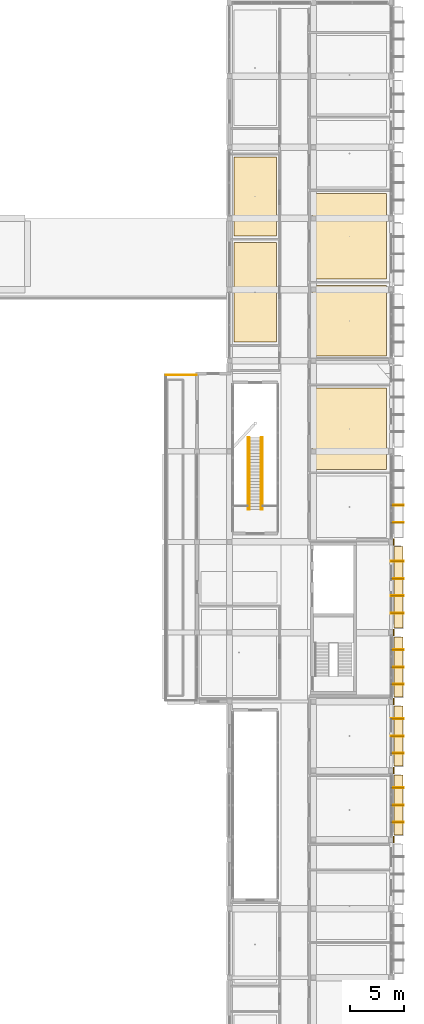
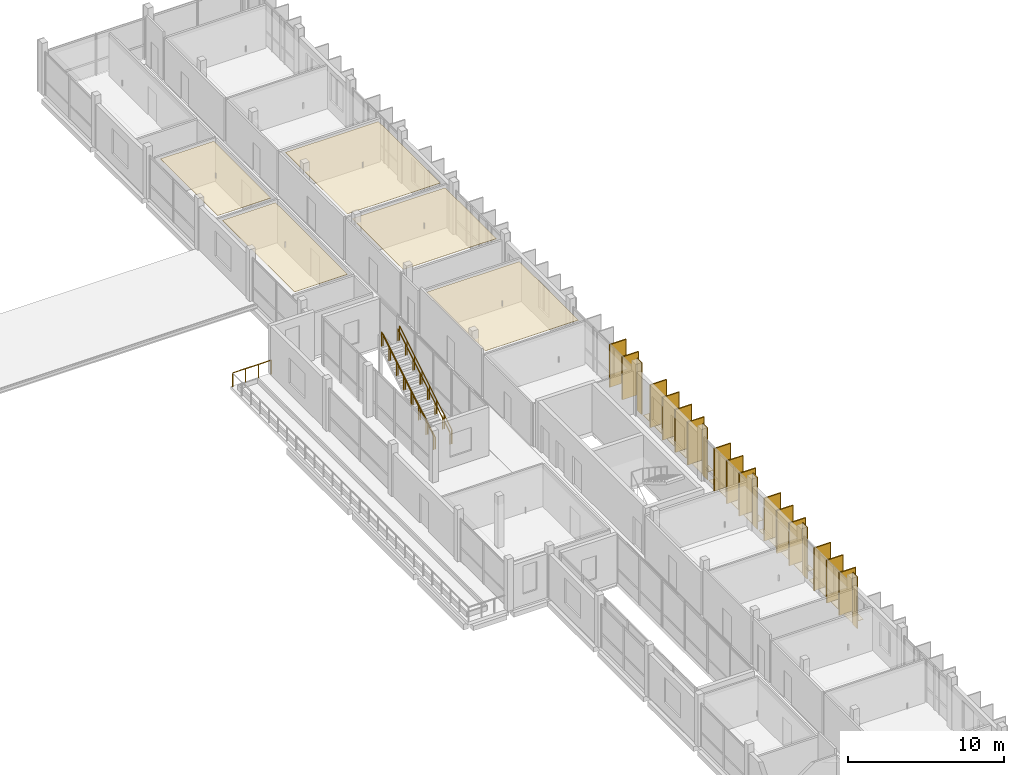
# One storey, part 85 of 86: 29 coverings, 15 shading devices, 5 railings.
"""IFC4 building model written with IfcOpenShell, lengths in metres."""

from ifc_helpers import new_model, si_unit, derived_unit, direction, frame, origin, origin_2d, place, context, subcontext, project, spatial, polyline, rectangle, circle, outline, extrude, material, layer, layer_set, type_object, element, save


model = new_model("IFC4")

# Units and contexts
model_context = context("Model", 3, precision=1e-05, world=origin(), true_north=direction((0.0, 1.0)))
body_context = subcontext(model_context, "Body", "Model", "MODEL_VIEW")
ifc_project = project(units=[si_unit("LENGTHUNIT", "METRE"), si_unit("AREAUNIT", "SQUARE_METRE"), si_unit("VOLUMEUNIT", "CUBIC_METRE"), si_unit("PLANEANGLEUNIT", "RADIAN"), si_unit("MASSUNIT", "GRAM", prefix="KILO"), derived_unit("THERMALTRANSMITTANCEUNIT", [(si_unit("POWERUNIT", "WATT"), 1), (si_unit("LENGTHUNIT", "METRE"), -2), (si_unit("THERMODYNAMICTEMPERATUREUNIT", "KELVIN"), -1)])], contexts=[model_context])

# Site, building, storey
site_placement = place(None, origin())
site = spatial("IfcSite", under=ifc_project, at=site_placement, CompositionType="ELEMENT")
building_placement = place(site_placement, origin())
building = spatial("IfcBuilding", under=site, at=building_placement, Name="Braskholm Square Health Centre", CompositionType="ELEMENT")
storey_placement = place(building_placement, frame((0.0, 0.0, 13.5)))
storey = spatial("IfcBuildingStorey", under=building, at=storey_placement, Name="L04", CompositionType="ELEMENT", Elevation=13.5)

# Coverings
ifc_material_1 = material(Name="Fire-rated gypsum board barrier")
ifc_layer_1 = layer(ifc_material_1, 0.02490234375)
ifc_layer_set_1 = layer_set([ifc_layer_1], Name="Fire-rated gypsum board barrier")
covering_type_1 = type_object("IfcCoveringType", Name="AcousticClinicalCeilingTile", PredefinedType="CEILING", material=ifc_layer_set_1)
covering_1_placement = place(storey_placement, frame((0.0, 0.0, 3.3349609375)))
element("IfcCovering", 1, at=covering_1_placement, inside=storey, type_object=covering_type_1, Name="Acoustic ceiling L04-251", PredefinedType="CEILING", context=body_context, shape_type="SweptSolid", body=[
    extrude(outline(polyline([(156.5, 70.52001953125), (163.3798828125, 70.52001953125), (163.3798828125, 78.070068359375), (156.5, 78.070068359375), (156.5, 70.52001953125)])), origin(), (0.0, 0.0, 1.0), 0.025146484375),
])
covering_2_placement = place(storey_placement, frame((0.0, 0.0, 3.3349609375)))
element("IfcCovering", 2, at=covering_2_placement, inside=storey, type_object=covering_type_1, Name="Acoustic ceiling L04-253", PredefinedType="CEILING", context=body_context, shape_type="SweptSolid", body=[
    extrude(outline(polyline([(156.5, 81.02001953125), (163.3798828125, 81.02001953125), (163.3798828125, 87.580078125), (156.5, 87.580078125), (156.5, 81.02001953125)])), origin(), (0.0, 0.0, 1.0), 0.025146484375),
])
covering_3_placement = place(storey_placement, frame((0.0, 0.0, 3.3349609375)))
element("IfcCovering", 3, at=covering_3_placement, inside=storey, type_object=covering_type_1, Name="Acoustic ceiling L04-254", PredefinedType="CEILING", context=body_context, shape_type="SweptSolid", body=[
    extrude(outline(polyline([(156.5, 88.179931640625), (163.3798828125, 88.179931640625), (163.3798828125, 96.110107421875), (156.5, 96.110107421875), (156.5, 88.179931640625)])), origin(), (0.0, 0.0, 1.0), 0.025146484375),
])
covering_4_placement = place(storey_placement, frame((0.0, 0.0, 3.3349609375)))
element("IfcCovering", 4, at=covering_4_placement, inside=storey, type_object=covering_type_1, Name="Acoustic ceiling L04-265", PredefinedType="CEILING", context=body_context, shape_type="SweptSolid", body=[
    extrude(outline(polyline([(149.219970703125, 82.330078125), (153.14990234375, 82.330078125), (153.14990234375, 91.56005859375), (149.219970703125, 91.56005859375), (149.219970703125, 82.330078125)])), origin(), (0.0, 0.0, 1.0), 0.025146484375),
])
covering_5_placement = place(storey_placement, frame((0.0, 0.0, 3.3349609375)))
element("IfcCovering", 5, at=covering_5_placement, inside=storey, type_object=covering_type_1, Name="Acoustic ceiling L04-266", PredefinedType="CEILING", context=body_context, shape_type="SweptSolid", body=[
    extrude(outline(polyline([(149.219970703125, 92.159912109375), (153.14990234375, 92.159912109375), (153.14990234375, 99.47998046875), (149.219970703125, 99.47998046875), (149.219970703125, 92.159912109375)])), origin(), (0.0, 0.0, 1.0), 0.025146484375),
])

# Railings
ifc_material_2 = material(Name="Dark patinated chevron architectural bronze", Category="aluminium")
railing_type_1 = type_object("IfcRailingType", Name="BronzeChevronGuardrail1100", PredefinedType="GUARDRAIL", material=ifc_material_2)
for number, where, name in (
    (6, (150.530029296875, 66.800048828125, 0.0), "Stair ST-10 side guard L"),
    (7, (151.8701171875, 66.800048828125, 0.0), "Stair ST-10 side guard R"),
):
    element("IfcRailing", number, at=place(storey_placement, frame(where)), inside=storey, type_object=railing_type_1, Name=name, PredefinedType="GUARDRAIL", context=body_context, shape_type="SweptSolid", body=[
        extrude(circle(Radius=0.02392578125, at=origin_2d()), frame((0.0, 0.0, 1.076171875), z_axis=(0.0, 0.854761738084, 0.519020588327), x_axis=(-1.0, 0.0, 0.0)), (0.0, 0.0, 1.0), 7.80322265625),
        extrude(circle(Radius=0.02099609375, at=origin_2d()), origin(), (0.0, 0.0, 1.0), 1.052001953125),
        extrude(circle(Radius=0.02099609375, at=origin_2d()), frame((0.0, 0.952880859375, 0.57861328125)), (0.0, 0.0, 1.0), 1.052001953125),
        extrude(circle(Radius=0.02099609375, at=origin_2d()), frame((0.0, 1.90576171875, 1.1572265625)), (0.0, 0.0, 1.0), 1.052001953125),
        extrude(circle(Radius=0.02099609375, at=origin_2d()), frame((0.0, 2.858642578125, 1.73583984375)), (0.0, 0.0, 1.0), 1.052001953125),
        extrude(circle(Radius=0.02099609375, at=origin_2d()), frame((0.0, 3.811279296875, 2.314208984375)), (0.0, 0.0, 1.0), 1.052001953125),
        extrude(circle(Radius=0.02099609375, at=origin_2d()), frame((0.0, 4.76416015625, 2.892822265625)), (0.0, 0.0, 1.0), 1.052001953125),
        extrude(circle(Radius=0.02099609375, at=origin_2d()), frame((0.0, 5.717041015625, 3.471435546875)), (0.0, 0.0, 1.0), 1.052001953125),
        extrude(circle(Radius=0.02099609375, at=origin_2d()), frame((0.0, 6.669921875, 4.050048828125)), (0.0, 0.0, 1.0), 1.052001953125),
    ])
railing_placement = place(storey_placement, frame((142.89990234375, 79.300048828125, 0.0)))
element("IfcRailing", 8, at=railing_placement, inside=storey, type_object=railing_type_1, Name="Bronze chevron guardrail 0046 L04", PredefinedType="GUARDRAIL", context=body_context, shape_type="SweptSolid", body=[
    extrude(circle(Radius=0.02392578125, at=origin_2d()), frame((0.0, 0.0, 1.076171875), z_axis=(1.0, 0.0, 0.0), x_axis=(0.0, 1.0, 0.0)), (0.0, 0.0, 1.0), 2.85009765625),
    extrude(circle(Radius=0.02099609375, at=origin_2d()), origin(), (0.0, 0.0, 1.0), 1.052001953125),
    extrude(circle(Radius=0.02099609375, at=origin_2d()), frame((0.949951171875, 0.0, 0.0)), (0.0, 0.0, 1.0), 1.052001953125),
    extrude(circle(Radius=0.02099609375, at=origin_2d()), frame((1.900146484375, 0.0, 0.0)), (0.0, 0.0, 1.0), 1.052001953125),
    extrude(circle(Radius=0.02099609375, at=origin_2d()), frame((2.85009765625, 0.0, 0.0)), (0.0, 0.0, 1.0), 1.052001953125),
])

# Shading devices
ifc_material_3 = material(Name="Thermally modified western red cedar with bronze trim", Category="wood")
shading_device_type = type_object("IfcShadingDeviceType", Name="CedarBronzeShadingFin1250", PredefinedType="USERDEFINED", material=ifc_material_3)
for number, where, z_axis, x_axis, name in (
    (9, (164.364990234375, 37.800048828125, 0.0), (0.0, 0.0, 1.0), (1.0, 0.0, 0.0), "Warm cedar-bronze vertical shading slat 0322"),
    (10, (164.364990234375, 39.39990234375, 0.0), (0.0, 0.0, 1.0), (1.0, 0.0, 0.0), "Warm cedar-bronze vertical shading slat 0323"),
    (11, (164.364990234375, 41.0, 0.0), (0.0, 0.0, 1.0), (1.0, 0.0, 0.0), "Warm cedar-bronze vertical shading slat 0324"),
    (12, (164.364990234375, 44.199951171875, 0.0), (0.0, 0.0, 1.0), (1.0, 0.0, 0.0), "Warm cedar-bronze vertical shading slat 0325"),
    (13, (164.364990234375, 45.800048828125, 0.0), (0.0, 0.0, 1.0), (1.0, 0.0, 0.0), "Warm cedar-bronze vertical shading slat 0326"),
    (14, (164.364990234375, 47.39990234375, 0.0), (0.0, 0.0, 1.0), (1.0, 0.0, 0.0), "Warm cedar-bronze vertical shading slat 0327"),
    (15, (164.364990234375, 50.60009765625, 0.0), (0.0, 0.0, 1.0), (1.0, 0.0, 0.0), "Warm cedar-bronze vertical shading slat 0328"),
    (16, (164.364990234375, 52.199951171875, 0.0), (0.0, 0.0, 1.0), (1.0, 0.0, 0.0), "Warm cedar-bronze vertical shading slat 0329"),
    (17, (164.364990234375, 53.800048828125, 0.0), (0.0, 0.0, 1.0), (1.0, 0.0, 0.0), "Warm cedar-bronze vertical shading slat 0330"),
    (18, (164.364990234375, 57.199951171875, 0.0), (0.0, 0.0, 1.0), (1.0, 0.0, 0.0), "Warm cedar-bronze vertical shading slat 0331"),
    (19, (164.364990234375, 58.800048828125, 0.0), (0.0, 0.0, 1.0), (1.0, 0.0, 0.0), "Warm cedar-bronze vertical shading slat 0332"),
    (20, (164.364990234375, 60.39990234375, 0.0), (0.0, 0.0, 1.0), (1.0, 0.0, 0.0), "Warm cedar-bronze vertical shading slat 0333"),
    (21, (164.364990234375, 62.0, 0.0), (0.0, 0.0, 1.0), (1.0, 0.0, 0.0), "Warm cedar-bronze vertical shading slat 0334"),
    (22, (164.364990234375, 65.60009765625, 0.0), (0.0, 0.0, 1.0), (1.0, 0.0, 0.0), "Warm cedar-bronze vertical shading slat 0335"),
    (23, (164.364990234375, 67.199951171875, 0.0), (0.0, 0.0, 1.0), (1.0, 0.0, 0.0), "Warm cedar-bronze vertical shading slat 0336"),
):
    element("IfcShadingDevice", number, at=place(storey_placement, frame(where, z_axis=z_axis, x_axis=x_axis)), inside=storey, type_object=shading_device_type, Name=name, ObjectType="FIN", PredefinedType="USERDEFINED", context=body_context, shape_type="SweptSolid", body=[
        extrude(rectangle(XDim=1.25, YDim=0.0849609375, at=origin_2d()), origin(), (0.0, 0.0, 1.0), 3.340087890625),
    ])

# Coverings
ifc_layer_2 = layer(ifc_material_3, 0.0849609375)
ifc_layer_set_2 = layer_set([ifc_layer_2], Name="Thermally modified western red cedar with bronze trim")
covering_type_2 = type_object("IfcCoveringType", Name="CedarBronzeSlatCladding", PredefinedType="CLADDING", material=ifc_layer_set_2)
for number, where, z_axis, x_axis, name in (
    (24, (164.3701171875, 37.800048828125, 0.0), (0.0, 0.0, 1.0), (1.0, 0.0, 0.0), "Cedar-bronze shading slat trim 0834"),
    (25, (164.3701171875, 39.39990234375, 0.0), (0.0, 0.0, 1.0), (1.0, 0.0, 0.0), "Cedar-bronze shading slat trim 0835"),
    (26, (164.3701171875, 41.0, 0.0), (0.0, 0.0, 1.0), (1.0, 0.0, 0.0), "Cedar-bronze shading slat trim 0836"),
    (27, (164.3701171875, 44.199951171875, 0.0), (0.0, 0.0, 1.0), (1.0, 0.0, 0.0), "Cedar-bronze shading slat trim 0838"),
    (28, (164.3701171875, 45.800048828125, 0.0), (0.0, 0.0, 1.0), (1.0, 0.0, 0.0), "Cedar-bronze shading slat trim 0839"),
    (29, (164.3701171875, 47.39990234375, 0.0), (0.0, 0.0, 1.0), (1.0, 0.0, 0.0), "Cedar-bronze shading slat trim 0840"),
    (30, (164.3701171875, 50.60009765625, 0.0), (0.0, 0.0, 1.0), (1.0, 0.0, 0.0), "Cedar-bronze shading slat trim 0842"),
    (31, (164.3701171875, 52.199951171875, 0.0), (0.0, 0.0, 1.0), (1.0, 0.0, 0.0), "Cedar-bronze shading slat trim 0843"),
    (32, (164.3701171875, 53.800048828125, 0.0), (0.0, 0.0, 1.0), (1.0, 0.0, 0.0), "Cedar-bronze shading slat trim 0844"),
    (33, (164.3701171875, 57.199951171875, 0.0), (0.0, 0.0, 1.0), (1.0, 0.0, 0.0), "Cedar-bronze shading slat trim 0846"),
    (34, (164.3701171875, 58.800048828125, 0.0), (0.0, 0.0, 1.0), (1.0, 0.0, 0.0), "Cedar-bronze shading slat trim 0847"),
    (35, (164.3701171875, 60.39990234375, 0.0), (0.0, 0.0, 1.0), (1.0, 0.0, 0.0), "Cedar-bronze shading slat trim 0848"),
    (36, (164.3701171875, 62.0, 0.0), (0.0, 0.0, 1.0), (1.0, 0.0, 0.0), "Cedar-bronze shading slat trim 0849"),
    (37, (164.3701171875, 65.60009765625, 0.0), (0.0, 0.0, 1.0), (1.0, 0.0, 0.0), "Cedar-bronze shading slat trim 0851"),
    (38, (164.3701171875, 67.199951171875, 0.0), (0.0, 0.0, 1.0), (1.0, 0.0, 0.0), "Cedar-bronze shading slat trim 0852"),
):
    element("IfcCovering", number, at=place(storey_placement, frame(where, z_axis=z_axis, x_axis=x_axis)), inside=storey, type_object=covering_type_2, Name=name, PredefinedType="CLADDING", context=body_context, shape_type="SweptSolid", body=[
        extrude(rectangle(XDim=1.179931640625, YDim=0.094970703125, at=origin_2d()), origin(), (0.0, 0.0, 1.0), 3.340087890625),
    ])
ifc_material_4 = material(Name="Intensive botanical sedum and native prairie garden bed")
ifc_layer_3 = layer(ifc_material_4, 0.02490234375)
ifc_layer_set_3 = layer_set([ifc_layer_3], Name="Intensive botanical sedum and native prairie garden bed")
covering_type_3 = type_object("IfcCoveringType", Name="PlantedTerraceGardenBed", PredefinedType="ROOFING", material=ifc_layer_set_3)
covering_6_placement = place(storey_placement, origin())
element("IfcCovering", 39, at=covering_6_placement, inside=storey, type_object=covering_type_3, Name="East floor planter ledge sedum strip 0837", PredefinedType="ROOFING", context=body_context, shape_type="SweptSolid", body=[
    extrude(outline(polyline([(164.050048828125, 36.6201171875), (164.8798828125, 36.6201171875), (164.8798828125, 42.179931640625), (164.050048828125, 42.179931640625), (164.050048828125, 36.6201171875)])), origin(), (0.0, 0.0, 1.0), 0.02490234375),
])
covering_7_placement = place(storey_placement, origin())
element("IfcCovering", 40, at=covering_7_placement, inside=storey, type_object=covering_type_3, Name="East floor planter ledge sedum strip 0841", PredefinedType="ROOFING", context=body_context, shape_type="SweptSolid", body=[
    extrude(outline(polyline([(164.050048828125, 43.02001953125), (164.8798828125, 43.02001953125), (164.8798828125, 48.580078125), (164.050048828125, 48.580078125), (164.050048828125, 43.02001953125)])), origin(), (0.0, 0.0, 1.0), 0.02490234375),
])
covering_8_placement = place(storey_placement, origin())
element("IfcCovering", 41, at=covering_8_placement, inside=storey, type_object=covering_type_3, Name="East floor planter ledge sedum strip 0845", PredefinedType="ROOFING", context=body_context, shape_type="SweptSolid", body=[
    extrude(outline(polyline([(164.050048828125, 49.419921875), (164.8798828125, 49.419921875), (164.8798828125, 54.97998046875), (164.050048828125, 54.97998046875), (164.050048828125, 49.419921875)])), origin(), (0.0, 0.0, 1.0), 0.02490234375),
])
covering_9_placement = place(storey_placement, origin())
element("IfcCovering", 42, at=covering_9_placement, inside=storey, type_object=covering_type_3, Name="East floor planter ledge sedum strip 0850", PredefinedType="ROOFING", context=body_context, shape_type="SweptSolid", body=[
    extrude(outline(polyline([(164.050048828125, 55.820068359375), (164.8798828125, 55.820068359375), (164.8798828125, 63.3798828125), (164.050048828125, 63.3798828125), (164.050048828125, 55.820068359375)])), origin(), (0.0, 0.0, 1.0), 0.02490234375),
])
ifc_material_5 = material(Name="Precast concrete C40/50 architectural white", Category="concrete")
ifc_layer_4 = layer(ifc_material_5, 0.054931640625)
ifc_layer_set_4 = layer_set([ifc_layer_4], Name="Precast concrete C40/50 architectural white")
covering_type_4 = type_object("IfcCoveringType", Name="PrecastWhiteColumnCasing", PredefinedType="CLADDING", material=ifc_layer_set_4)
for number, where, z_axis, x_axis, name in (
    (43, (164.034912109375, 36.199951171875, 0.0), (0.0, 0.0, 1.0), (1.0, 0.0, 0.0), "Giant-order white precast column casing 0287"),
    (44, (164.034912109375, 42.60009765625, 0.0), (0.0, 0.0, 1.0), (1.0, 0.0, 0.0), "Giant-order white precast column casing 0295"),
    (45, (164.034912109375, 49.0, 0.0), (0.0, 0.0, 1.0), (1.0, 0.0, 0.0), "Giant-order white precast column casing 0303"),
    (46, (164.034912109375, 55.39990234375, 0.0), (0.0, 0.0, 1.0), (1.0, 0.0, 0.0), "Giant-order white precast column casing 0311"),
    (47, (164.034912109375, 63.800048828125, 0.0), (0.0, 0.0, 1.0), (1.0, 0.0, 0.0), "Giant-order white precast column casing 0319"),
):
    element("IfcCovering", number, at=place(storey_placement, frame(where, z_axis=z_axis, x_axis=x_axis)), inside=storey, type_object=covering_type_4, Name=name, PredefinedType="CLADDING", context=body_context, shape_type="SweptSolid", body=[
        extrude(rectangle(XDim=0.06005859375, YDim=0.60009765625, at=origin_2d()), origin(), (0.0, 0.0, 1.0), 4.050048828125),
    ])

# Railings
railing_type_2 = type_object("IfcRailingType", Name="StairTubularHandrail915", PredefinedType="HANDRAIL", material=ifc_material_2)
for number, where, name in (
    (48, (150.65087890625, 66.800048828125, 0.0), "Stair ST-10 tubular handrail L"),
    (49, (151.7490234375, 66.800048828125, 0.0), "Stair ST-10 tubular handrail R"),
):
    element("IfcRailing", number, at=place(storey_placement, frame(where)), inside=storey, type_object=railing_type_2, Name=name, PredefinedType="HANDRAIL", context=body_context, shape_type="SweptSolid", body=[
        extrude(circle(Radius=0.02392578125, at=origin_2d()), frame((0.0, 0.0, 0.89111328125), z_axis=(0.0, 0.854761738084, 0.519020588327), x_axis=(-1.0, 0.0, 0.0)), (0.0, 0.0, 1.0), 7.80322265625),
        extrude(circle(Radius=0.02099609375, at=origin_2d()), origin(), (0.0, 0.0, 1.0), 0.866943359375),
        extrude(circle(Radius=0.02099609375, at=origin_2d()), frame((0.0, 0.952880859375, 0.57861328125)), (0.0, 0.0, 1.0), 0.866943359375),
        extrude(circle(Radius=0.02099609375, at=origin_2d()), frame((0.0, 1.90576171875, 1.1572265625)), (0.0, 0.0, 1.0), 0.866943359375),
        extrude(circle(Radius=0.02099609375, at=origin_2d()), frame((0.0, 2.858642578125, 1.73583984375)), (0.0, 0.0, 1.0), 0.866943359375),
        extrude(circle(Radius=0.02099609375, at=origin_2d()), frame((0.0, 3.811279296875, 2.314208984375)), (0.0, 0.0, 1.0), 0.866943359375),
        extrude(circle(Radius=0.02099609375, at=origin_2d()), frame((0.0, 4.76416015625, 2.892822265625)), (0.0, 0.0, 1.0), 0.866943359375),
        extrude(circle(Radius=0.02099609375, at=origin_2d()), frame((0.0, 5.717041015625, 3.471435546875)), (0.0, 0.0, 1.0), 0.866943359375),
        extrude(circle(Radius=0.02099609375, at=origin_2d()), frame((0.0, 6.669921875, 4.050048828125)), (0.0, 0.0, 1.0), 0.866943359375),
    ])

save(model, "model.ifc")
